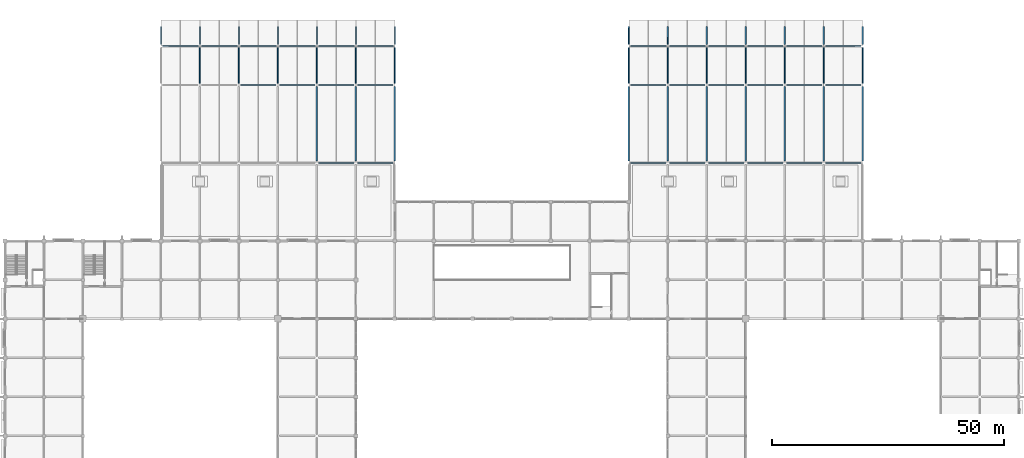
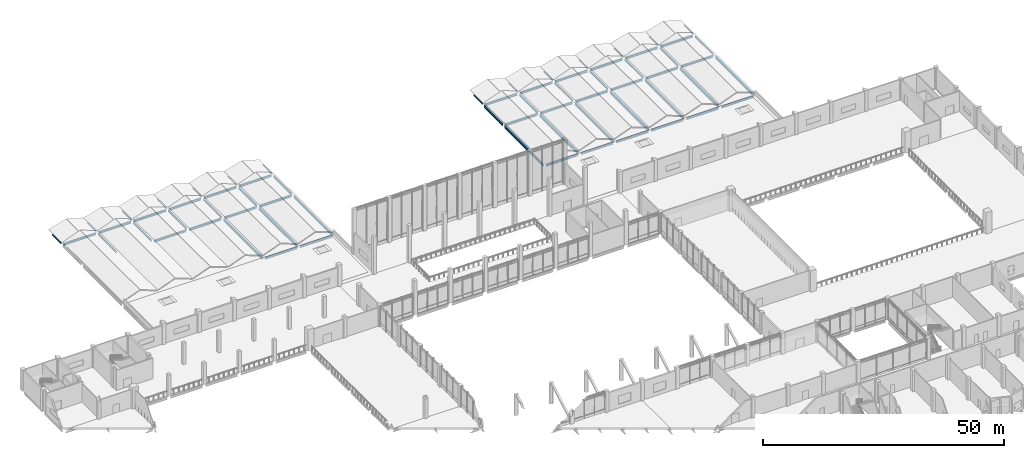
# One storey, part 32 of 72: 67 beams.
"""IFC4 building model written with IfcOpenShell, lengths in metres."""

from ifc_helpers import new_model, si_unit, direction, frame, origin, origin_2d, place, context, subcontext, project, spatial, hollow_rectangle, i_section, extrude, material, material_profile, profile_set, type_object, element, save


model = new_model("IFC4")

# Units and contexts
model_context = context("Model", 3, precision=1e-05, world=origin(), true_north=direction((0.0, 1.0)))
body_context = subcontext(model_context, "Body", "Model", "MODEL_VIEW")
ifc_project = project(units=[si_unit("LENGTHUNIT", "METRE"), si_unit("AREAUNIT", "SQUARE_METRE"), si_unit("VOLUMEUNIT", "CUBIC_METRE"), si_unit("PLANEANGLEUNIT", "RADIAN"), si_unit("MASSUNIT", "GRAM", prefix="KILO")], contexts=[model_context])

# Site, building, storey
site_placement = place(None, origin())
site = spatial("IfcSite", under=ifc_project, at=site_placement, CompositionType="ELEMENT")
building_placement = place(site_placement, origin())
building = spatial("IfcBuilding", under=site, at=building_placement, Name="Qawsi Khor Wholesale Market", CompositionType="ELEMENT")
storey_placement = place(building_placement, frame((0.0, 0.0, 6.0)))
storey = spatial("IfcBuildingStorey", under=building, at=storey_placement, Name="L01", CompositionType="ELEMENT", Elevation=6.0)

# Beams
ifc_material = material(Name="Steel S355", Category="steel")
ifc_material_profile_1 = material_profile(ifc_material, hollow_rectangle(XDim=0.14990234375, YDim=0.25, WallThickness=0.010009765625, InnerFilletRadius=0.010009765625, OuterFilletRadius=0.02001953125, at=origin_2d()), Name="RHS 250x150x10.0")
ifc_profile_set_1 = profile_set([ifc_material_profile_1], Name="Steel S355")
beam_type_1 = type_object("IfcBeamType", Name="Canopy Outrigger RHS 250x150x10.0", PredefinedType="BEAM", material=ifc_profile_set_1)
for number, where, z_axis, x_axis, name in (
    (1, (33.60009765625, 151.52490234375, -0.425048828125), (0.0, 1.0, 0.0), (-1.0, 0.0, 0.0), "BM-CSDOCK-04"),
    (2, (42.0, 151.52490234375, -0.425048828125), (0.0, 1.0, 0.0), (-1.0, 0.0, 0.0), "BM-CSDOCK-05"),
    (3, (50.39990234375, 151.52490234375, -0.425048828125), (0.0, 1.0, 0.0), (-1.0, 0.0, 0.0), "BM-CSDOCK-06"),
    (4, (58.800048828125, 151.52490234375, -0.425048828125), (0.0, 1.0, 0.0), (-1.0, 0.0, 0.0), "BM-CSDOCK-07"),
    (5, (67.199951171875, 151.52490234375, -0.425048828125), (0.0, 1.0, 0.0), (-1.0, 0.0, 0.0), "BM-CSDOCK-08"),
    (6, (75.60009765625, 151.52490234375, -0.425048828125), (0.0, 1.0, 0.0), (-1.0, 0.0, 0.0), "BM-CSDOCK-09"),
    (7, (84.0, 151.52490234375, -0.425048828125), (0.0, 1.0, 0.0), (-1.0, 0.0, 0.0), "BM-CSDOCK-10"),
    (8, (134.39990234375, 151.52490234375, -0.425048828125), (0.0, 1.0, 0.0), (-1.0, 0.0, 0.0), "BM-CSDOCK-16"),
    (9, (142.800048828125, 151.52490234375, -0.425048828125), (0.0, 1.0, 0.0), (-1.0, 0.0, 0.0), "BM-CSDOCK-17"),
    (10, (151.199951171875, 151.52490234375, -0.425048828125), (0.0, 1.0, 0.0), (-1.0, 0.0, 0.0), "BM-CSDOCK-18"),
    (11, (159.60009765625, 151.52490234375, -0.425048828125), (0.0, 1.0, 0.0), (-1.0, 0.0, 0.0), "BM-CSDOCK-19"),
    (12, (168.0, 151.52490234375, -0.425048828125), (0.0, 1.0, 0.0), (-1.0, 0.0, 0.0), "BM-CSDOCK-20"),
    (13, (176.39990234375, 151.52490234375, -0.425048828125), (0.0, 1.0, 0.0), (-1.0, 0.0, 0.0), "BM-CSDOCK-21"),
    (14, (184.800048828125, 151.52490234375, -0.425048828125), (0.0, 1.0, 0.0), (-1.0, 0.0, 0.0), "BM-CSDOCK-22"),
):
    element("IfcBeam", number, at=place(storey_placement, frame(where, z_axis=z_axis, x_axis=x_axis)), inside=storey, type_object=beam_type_1, Name=name, PredefinedType="BEAM", context=body_context, shape_type="SweptSolid", body=[
        extrude(hollow_rectangle(XDim=0.14990234375, YDim=0.25, WallThickness=0.010009765625, InnerFilletRadius=0.010009765625, OuterFilletRadius=0.02001953125, at=origin_2d()), origin(), (0.0, 0.0, 1.0), 3.775146484375),
    ])
ifc_material_profile_2 = material_profile(ifc_material, i_section(OverallWidth=0.300048828125, OverallDepth=0.5400390625, WebThickness=0.012451171875, FlangeThickness=0.02392578125, FilletRadius=0.027099609375, at=origin_2d()), Name="HEA 550")
ifc_profile_set_2 = profile_set([ifc_material_profile_2], Name="Steel S355")
beam_type_2 = type_object("IfcBeamType", Name="Primary Girder HEA 550", PredefinedType="BEAM", material=ifc_profile_set_2)
for number, where, z_axis, x_axis, name in (
    (15, (33.925048828125, 151.199951171875, -0.570068359375), (1.0, 0.0, 0.0), (0.0, 1.0, 0.0), "BM-X-L01-04_+18"),
    (16, (42.324951171875, 151.199951171875, -0.570068359375), (1.0, 0.0, 0.0), (0.0, 1.0, 0.0), "BM-X-L01-05_+18"),
):
    element("IfcBeam", number, at=place(storey_placement, frame(where, z_axis=z_axis, x_axis=x_axis)), inside=storey, type_object=beam_type_2, Name=name, PredefinedType="BEAM", context=body_context, shape_type="SweptSolid", body=[
        extrude(i_section(OverallWidth=0.300048828125, OverallDepth=0.5400390625, WebThickness=0.012451171875, FlangeThickness=0.02392578125, FilletRadius=0.027099609375, at=origin_2d()), origin(), (0.0, 0.0, 1.0), 7.75),
    ])
beam_1_placement = place(storey_placement, frame((50.77490234375, 142.800048828125, -0.570068359375), z_axis=(1.0, 0.0, 0.0), x_axis=(0.0, 1.0, 0.0)))
element("IfcBeam", 17, at=beam_1_placement, inside=storey, type_object=beam_type_2, Name="BM-X-L01-06_+17", PredefinedType="BEAM", context=body_context, shape_type="SweptSolid", body=[
    extrude(i_section(OverallWidth=0.300048828125, OverallDepth=0.5400390625, WebThickness=0.012451171875, FlangeThickness=0.02392578125, FilletRadius=0.027099609375, at=origin_2d()), origin(), (0.0, 0.0, 1.0), 7.650146484375),
])
beam_2_placement = place(storey_placement, frame((50.72509765625, 151.199951171875, -0.570068359375), z_axis=(1.0, 0.0, 0.0), x_axis=(0.0, 1.0, 0.0)))
element("IfcBeam", 18, at=beam_2_placement, inside=storey, type_object=beam_type_2, Name="BM-X-L01-06_+18", PredefinedType="BEAM", context=body_context, shape_type="SweptSolid", body=[
    extrude(i_section(OverallWidth=0.300048828125, OverallDepth=0.5400390625, WebThickness=0.012451171875, FlangeThickness=0.02392578125, FilletRadius=0.027099609375, at=origin_2d()), origin(), (0.0, 0.0, 1.0), 7.75),
])
beam_3_placement = place(storey_placement, frame((59.175048828125, 142.800048828125, -0.570068359375), z_axis=(1.0, 0.0, 0.0), x_axis=(0.0, 1.0, 0.0)))
element("IfcBeam", 19, at=beam_3_placement, inside=storey, type_object=beam_type_2, Name="BM-X-L01-07_+17", PredefinedType="BEAM", context=body_context, shape_type="SweptSolid", body=[
    extrude(i_section(OverallWidth=0.300048828125, OverallDepth=0.5400390625, WebThickness=0.012451171875, FlangeThickness=0.02392578125, FilletRadius=0.027099609375, at=origin_2d()), origin(), (0.0, 0.0, 1.0), 7.64990234375),
])
beam_4_placement = place(storey_placement, frame((59.125, 151.199951171875, -0.570068359375), z_axis=(1.0, 0.0, 0.0), x_axis=(0.0, 1.0, 0.0)))
element("IfcBeam", 20, at=beam_4_placement, inside=storey, type_object=beam_type_2, Name="BM-X-L01-07_+18", PredefinedType="BEAM", context=body_context, shape_type="SweptSolid", body=[
    extrude(i_section(OverallWidth=0.300048828125, OverallDepth=0.5400390625, WebThickness=0.012451171875, FlangeThickness=0.02392578125, FilletRadius=0.027099609375, at=origin_2d()), origin(), (0.0, 0.0, 1.0), 7.75),
])
for number, where, z_axis, x_axis, name in (
    (21, (67.574951171875, 126.0, -0.570068359375), (1.0, 0.0, 0.0), (0.0, 1.0, 0.0), "BM-X-L01-08_+15"),
    (22, (67.574951171875, 142.800048828125, -0.570068359375), (1.0, 0.0, 0.0), (0.0, 1.0, 0.0), "BM-X-L01-08_+17"),
):
    element("IfcBeam", number, at=place(storey_placement, frame(where, z_axis=z_axis, x_axis=x_axis)), inside=storey, type_object=beam_type_2, Name=name, PredefinedType="BEAM", context=body_context, shape_type="SweptSolid", body=[
        extrude(i_section(OverallWidth=0.300048828125, OverallDepth=0.5400390625, WebThickness=0.012451171875, FlangeThickness=0.02392578125, FilletRadius=0.027099609375, at=origin_2d()), origin(), (0.0, 0.0, 1.0), 7.650146484375),
    ])
beam_5_placement = place(storey_placement, frame((67.52490234375, 151.199951171875, -0.570068359375), z_axis=(1.0, 0.0, 0.0), x_axis=(0.0, 1.0, 0.0)))
element("IfcBeam", 23, at=beam_5_placement, inside=storey, type_object=beam_type_2, Name="BM-X-L01-08_+18", PredefinedType="BEAM", context=body_context, shape_type="SweptSolid", body=[
    extrude(i_section(OverallWidth=0.300048828125, OverallDepth=0.5400390625, WebThickness=0.012451171875, FlangeThickness=0.02392578125, FilletRadius=0.027099609375, at=origin_2d()), origin(), (0.0, 0.0, 1.0), 7.75),
])
for number, where, z_axis, x_axis, name in (
    (24, (75.97509765625, 126.0, -0.570068359375), (1.0, 0.0, 0.0), (0.0, 1.0, 0.0), "BM-X-L01-09_+15"),
    (25, (75.97509765625, 142.800048828125, -0.570068359375), (1.0, 0.0, 0.0), (0.0, 1.0, 0.0), "BM-X-L01-09_+17"),
):
    element("IfcBeam", number, at=place(storey_placement, frame(where, z_axis=z_axis, x_axis=x_axis)), inside=storey, type_object=beam_type_2, Name=name, PredefinedType="BEAM", context=body_context, shape_type="SweptSolid", body=[
        extrude(i_section(OverallWidth=0.300048828125, OverallDepth=0.5400390625, WebThickness=0.012451171875, FlangeThickness=0.02392578125, FilletRadius=0.027099609375, at=origin_2d()), origin(), (0.0, 0.0, 1.0), 7.64990234375),
    ])
beam_6_placement = place(storey_placement, frame((75.925048828125, 151.199951171875, -0.570068359375), z_axis=(1.0, 0.0, 0.0), x_axis=(0.0, 1.0, 0.0)))
element("IfcBeam", 26, at=beam_6_placement, inside=storey, type_object=beam_type_2, Name="BM-X-L01-09_+18", PredefinedType="BEAM", context=body_context, shape_type="SweptSolid", body=[
    extrude(i_section(OverallWidth=0.300048828125, OverallDepth=0.5400390625, WebThickness=0.012451171875, FlangeThickness=0.02392578125, FilletRadius=0.027099609375, at=origin_2d()), origin(), (0.0, 0.0, 1.0), 7.75),
])
for number, where, z_axis, x_axis, name in (
    (27, (134.77490234375, 126.0, -0.570068359375), (1.0, 0.0, 0.0), (0.0, 1.0, 0.0), "BM-X-L01-16_+15"),
    (28, (134.77490234375, 142.800048828125, -0.570068359375), (1.0, 0.0, 0.0), (0.0, 1.0, 0.0), "BM-X-L01-16_+17"),
):
    element("IfcBeam", number, at=place(storey_placement, frame(where, z_axis=z_axis, x_axis=x_axis)), inside=storey, type_object=beam_type_2, Name=name, PredefinedType="BEAM", context=body_context, shape_type="SweptSolid", body=[
        extrude(i_section(OverallWidth=0.300048828125, OverallDepth=0.5400390625, WebThickness=0.012451171875, FlangeThickness=0.02392578125, FilletRadius=0.027099609375, at=origin_2d()), origin(), (0.0, 0.0, 1.0), 7.650146484375),
    ])
beam_7_placement = place(storey_placement, frame((134.72509765625, 151.199951171875, -0.570068359375), z_axis=(1.0, 0.0, 0.0), x_axis=(0.0, 1.0, 0.0)))
element("IfcBeam", 29, at=beam_7_placement, inside=storey, type_object=beam_type_2, Name="BM-X-L01-16_+18", PredefinedType="BEAM", context=body_context, shape_type="SweptSolid", body=[
    extrude(i_section(OverallWidth=0.300048828125, OverallDepth=0.5400390625, WebThickness=0.012451171875, FlangeThickness=0.02392578125, FilletRadius=0.027099609375, at=origin_2d()), origin(), (0.0, 0.0, 1.0), 7.75),
])
for number, where, z_axis, x_axis, name in (
    (30, (143.175048828125, 126.0, -0.570068359375), (1.0, 0.0, 0.0), (0.0, 1.0, 0.0), "BM-X-L01-17_+15"),
    (31, (143.175048828125, 142.800048828125, -0.570068359375), (1.0, 0.0, 0.0), (0.0, 1.0, 0.0), "BM-X-L01-17_+17"),
):
    element("IfcBeam", number, at=place(storey_placement, frame(where, z_axis=z_axis, x_axis=x_axis)), inside=storey, type_object=beam_type_2, Name=name, PredefinedType="BEAM", context=body_context, shape_type="SweptSolid", body=[
        extrude(i_section(OverallWidth=0.300048828125, OverallDepth=0.5400390625, WebThickness=0.012451171875, FlangeThickness=0.02392578125, FilletRadius=0.027099609375, at=origin_2d()), origin(), (0.0, 0.0, 1.0), 7.64990234375),
    ])
beam_8_placement = place(storey_placement, frame((143.125, 151.199951171875, -0.570068359375), z_axis=(1.0, 0.0, 0.0), x_axis=(0.0, 1.0, 0.0)))
element("IfcBeam", 32, at=beam_8_placement, inside=storey, type_object=beam_type_2, Name="BM-X-L01-17_+18", PredefinedType="BEAM", context=body_context, shape_type="SweptSolid", body=[
    extrude(i_section(OverallWidth=0.300048828125, OverallDepth=0.5400390625, WebThickness=0.012451171875, FlangeThickness=0.02392578125, FilletRadius=0.027099609375, at=origin_2d()), origin(), (0.0, 0.0, 1.0), 7.75),
])
for number, where, z_axis, x_axis, name in (
    (33, (151.574951171875, 126.0, -0.570068359375), (1.0, 0.0, 0.0), (0.0, 1.0, 0.0), "BM-X-L01-18_+15"),
    (34, (151.574951171875, 142.800048828125, -0.570068359375), (1.0, 0.0, 0.0), (0.0, 1.0, 0.0), "BM-X-L01-18_+17"),
):
    element("IfcBeam", number, at=place(storey_placement, frame(where, z_axis=z_axis, x_axis=x_axis)), inside=storey, type_object=beam_type_2, Name=name, PredefinedType="BEAM", context=body_context, shape_type="SweptSolid", body=[
        extrude(i_section(OverallWidth=0.300048828125, OverallDepth=0.5400390625, WebThickness=0.012451171875, FlangeThickness=0.02392578125, FilletRadius=0.027099609375, at=origin_2d()), origin(), (0.0, 0.0, 1.0), 7.650146484375),
    ])
beam_9_placement = place(storey_placement, frame((151.52490234375, 151.199951171875, -0.570068359375), z_axis=(1.0, 0.0, 0.0), x_axis=(0.0, 1.0, 0.0)))
element("IfcBeam", 35, at=beam_9_placement, inside=storey, type_object=beam_type_2, Name="BM-X-L01-18_+18", PredefinedType="BEAM", context=body_context, shape_type="SweptSolid", body=[
    extrude(i_section(OverallWidth=0.300048828125, OverallDepth=0.5400390625, WebThickness=0.012451171875, FlangeThickness=0.02392578125, FilletRadius=0.027099609375, at=origin_2d()), origin(), (0.0, 0.0, 1.0), 7.75),
])
for number, where, z_axis, x_axis, name in (
    (36, (159.97509765625, 126.0, -0.570068359375), (1.0, 0.0, 0.0), (0.0, 1.0, 0.0), "BM-X-L01-19_+15"),
    (37, (159.97509765625, 142.800048828125, -0.570068359375), (1.0, 0.0, 0.0), (0.0, 1.0, 0.0), "BM-X-L01-19_+17"),
):
    element("IfcBeam", number, at=place(storey_placement, frame(where, z_axis=z_axis, x_axis=x_axis)), inside=storey, type_object=beam_type_2, Name=name, PredefinedType="BEAM", context=body_context, shape_type="SweptSolid", body=[
        extrude(i_section(OverallWidth=0.300048828125, OverallDepth=0.5400390625, WebThickness=0.012451171875, FlangeThickness=0.02392578125, FilletRadius=0.027099609375, at=origin_2d()), origin(), (0.0, 0.0, 1.0), 7.64990234375),
    ])
beam_10_placement = place(storey_placement, frame((159.925048828125, 151.199951171875, -0.570068359375), z_axis=(1.0, 0.0, 0.0), x_axis=(0.0, 1.0, 0.0)))
element("IfcBeam", 38, at=beam_10_placement, inside=storey, type_object=beam_type_2, Name="BM-X-L01-19_+18", PredefinedType="BEAM", context=body_context, shape_type="SweptSolid", body=[
    extrude(i_section(OverallWidth=0.300048828125, OverallDepth=0.5400390625, WebThickness=0.012451171875, FlangeThickness=0.02392578125, FilletRadius=0.027099609375, at=origin_2d()), origin(), (0.0, 0.0, 1.0), 7.75),
])
for number, where, z_axis, x_axis, name in (
    (39, (168.375, 126.0, -0.570068359375), (1.0, 0.0, 0.0), (0.0, 1.0, 0.0), "BM-X-L01-20_+15"),
    (40, (168.375, 142.800048828125, -0.570068359375), (1.0, 0.0, 0.0), (0.0, 1.0, 0.0), "BM-X-L01-20_+17"),
):
    element("IfcBeam", number, at=place(storey_placement, frame(where, z_axis=z_axis, x_axis=x_axis)), inside=storey, type_object=beam_type_2, Name=name, PredefinedType="BEAM", context=body_context, shape_type="SweptSolid", body=[
        extrude(i_section(OverallWidth=0.300048828125, OverallDepth=0.5400390625, WebThickness=0.012451171875, FlangeThickness=0.02392578125, FilletRadius=0.027099609375, at=origin_2d()), origin(), (0.0, 0.0, 1.0), 7.64990234375),
    ])
beam_11_placement = place(storey_placement, frame((168.324951171875, 151.199951171875, -0.570068359375), z_axis=(1.0, 0.0, 0.0), x_axis=(0.0, 1.0, 0.0)))
element("IfcBeam", 41, at=beam_11_placement, inside=storey, type_object=beam_type_2, Name="BM-X-L01-20_+18", PredefinedType="BEAM", context=body_context, shape_type="SweptSolid", body=[
    extrude(i_section(OverallWidth=0.300048828125, OverallDepth=0.5400390625, WebThickness=0.012451171875, FlangeThickness=0.02392578125, FilletRadius=0.027099609375, at=origin_2d()), origin(), (0.0, 0.0, 1.0), 7.75),
])
for number, where, z_axis, x_axis, name in (
    (42, (176.77490234375, 126.0, -0.570068359375), (1.0, 0.0, 0.0), (0.0, 1.0, 0.0), "BM-X-L01-21_+15"),
    (43, (176.77490234375, 142.800048828125, -0.570068359375), (1.0, 0.0, 0.0), (0.0, 1.0, 0.0), "BM-X-L01-21_+17"),
):
    element("IfcBeam", number, at=place(storey_placement, frame(where, z_axis=z_axis, x_axis=x_axis)), inside=storey, type_object=beam_type_2, Name=name, PredefinedType="BEAM", context=body_context, shape_type="SweptSolid", body=[
        extrude(i_section(OverallWidth=0.300048828125, OverallDepth=0.5400390625, WebThickness=0.012451171875, FlangeThickness=0.02392578125, FilletRadius=0.027099609375, at=origin_2d()), origin(), (0.0, 0.0, 1.0), 7.650146484375),
    ])
beam_12_placement = place(storey_placement, frame((176.72509765625, 151.199951171875, -0.570068359375), z_axis=(1.0, 0.0, 0.0), x_axis=(0.0, 1.0, 0.0)))
element("IfcBeam", 44, at=beam_12_placement, inside=storey, type_object=beam_type_2, Name="BM-X-L01-21_+18", PredefinedType="BEAM", context=body_context, shape_type="SweptSolid", body=[
    extrude(i_section(OverallWidth=0.300048828125, OverallDepth=0.5400390625, WebThickness=0.012451171875, FlangeThickness=0.02392578125, FilletRadius=0.027099609375, at=origin_2d()), origin(), (0.0, 0.0, 1.0), 7.75),
])
ifc_material_profile_3 = material_profile(ifc_material, i_section(OverallWidth=0.300048828125, OverallDepth=0.639892578125, WebThickness=0.013427734375, FlangeThickness=0.02587890625, FilletRadius=0.027099609375, at=origin_2d()), Name="HEA 650")
ifc_profile_set_3 = profile_set([ifc_material_profile_3], Name="Steel S355")
beam_type_3 = type_object("IfcBeamType", Name="Primary Girder HEA 650", PredefinedType="BEAM", material=ifc_profile_set_3)
for number, where, z_axis, x_axis, name in (
    (45, (67.199951171875, 126.375, -0.6201171875), (0.0, 1.0, 0.0), (-1.0, 0.0, 0.0), "BM-YL-L01-08_+15"),
    (46, (75.60009765625, 126.375, -0.6201171875), (0.0, 1.0, 0.0), (-1.0, 0.0, 0.0), "BM-YL-L01-09_+15"),
    (47, (84.0, 126.375, -0.6201171875), (0.0, 1.0, 0.0), (-1.0, 0.0, 0.0), "BM-YL-L01-10_+15"),
    (48, (134.39990234375, 126.375, -0.6201171875), (0.0, 1.0, 0.0), (-1.0, 0.0, 0.0), "BM-YL-L01-16_+15"),
    (49, (142.800048828125, 126.375, -0.6201171875), (0.0, 1.0, 0.0), (-1.0, 0.0, 0.0), "BM-YL-L01-17_+15"),
    (50, (151.199951171875, 126.375, -0.6201171875), (0.0, 1.0, 0.0), (-1.0, 0.0, 0.0), "BM-YL-L01-18_+15"),
    (51, (159.60009765625, 126.375, -0.6201171875), (0.0, 1.0, 0.0), (-1.0, 0.0, 0.0), "BM-YL-L01-19_+15"),
    (52, (168.0, 126.375, -0.6201171875), (0.0, 1.0, 0.0), (-1.0, 0.0, 0.0), "BM-YL-L01-20_+15"),
    (53, (176.39990234375, 126.375, -0.6201171875), (0.0, 1.0, 0.0), (-1.0, 0.0, 0.0), "BM-YL-L01-21_+15"),
    (54, (184.800048828125, 126.375, -0.6201171875), (0.0, 1.0, 0.0), (-1.0, 0.0, 0.0), "BM-YL-L01-22_+15"),
):
    element("IfcBeam", number, at=place(storey_placement, frame(where, z_axis=z_axis, x_axis=x_axis)), inside=storey, type_object=beam_type_3, Name=name, PredefinedType="BEAM", context=body_context, shape_type="SweptSolid", body=[
        extrude(i_section(OverallWidth=0.300048828125, OverallDepth=0.639892578125, WebThickness=0.013427734375, FlangeThickness=0.02587890625, FilletRadius=0.027099609375, at=origin_2d()), origin(), (0.0, 0.0, 1.0), 16.050048828125),
    ])
ifc_material_profile_4 = material_profile(ifc_material, i_section(OverallWidth=0.18994140625, OverallDepth=0.449951171875, WebThickness=0.009521484375, FlangeThickness=0.0146484375, FilletRadius=0.02099609375, at=origin_2d()), Name="IPE 450")
ifc_profile_set_4 = profile_set([ifc_material_profile_4], Name="Steel S355")
beam_type_4 = type_object("IfcBeamType", Name="Secondary Beam IPE 450", PredefinedType="BEAM", material=ifc_profile_set_4)
for number, where, z_axis, x_axis, name in (
    (55, (151.199951171875, 143.175048828125, -0.52490234375), (0.0, 1.0, 0.0), (-1.0, 0.0, 0.0), "BM-Y-L01-18_+17"),
    (56, (159.60009765625, 143.175048828125, -0.52490234375), (0.0, 1.0, 0.0), (-1.0, 0.0, 0.0), "BM-Y-L01-19_+17"),
    (57, (168.0, 143.175048828125, -0.52490234375), (0.0, 1.0, 0.0), (-1.0, 0.0, 0.0), "BM-Y-L01-20_+17"),
    (58, (176.39990234375, 143.175048828125, -0.52490234375), (0.0, 1.0, 0.0), (-1.0, 0.0, 0.0), "BM-Y-L01-21_+17"),
    (59, (184.800048828125, 143.175048828125, -0.52490234375), (0.0, 1.0, 0.0), (-1.0, 0.0, 0.0), "BM-Y-L01-22_+17"),
):
    element("IfcBeam", number, at=place(storey_placement, frame(where, z_axis=z_axis, x_axis=x_axis)), inside=storey, type_object=beam_type_4, Name=name, PredefinedType="BEAM", context=body_context, shape_type="SweptSolid", body=[
        extrude(i_section(OverallWidth=0.18994140625, OverallDepth=0.449951171875, WebThickness=0.009521484375, FlangeThickness=0.0146484375, FilletRadius=0.02099609375, at=origin_2d()), origin(), (0.0, 0.0, 1.0), 7.699951171875),
    ])
ifc_material_profile_5 = material_profile(ifc_material, i_section(OverallWidth=0.199951171875, OverallDepth=0.5, WebThickness=0.01025390625, FlangeThickness=0.01611328125, FilletRadius=0.02099609375, at=origin_2d()), Name="IPE 500")
ifc_profile_set_5 = profile_set([ifc_material_profile_5], Name="Steel S355")
beam_type_5 = type_object("IfcBeamType", Name="Secondary Beam IPE 500", PredefinedType="BEAM", material=ifc_profile_set_5)
for number, where, z_axis, x_axis, name in (
    (60, (42.0, 143.175048828125, -0.550048828125), (0.0, 1.0, 0.0), (-1.0, 0.0, 0.0), "BM-Y-L01-05_+17"),
    (61, (50.39990234375, 143.175048828125, -0.550048828125), (0.0, 1.0, 0.0), (-1.0, 0.0, 0.0), "BM-Y-L01-06_+17"),
    (62, (58.800048828125, 143.175048828125, -0.550048828125), (0.0, 1.0, 0.0), (-1.0, 0.0, 0.0), "BM-Y-L01-07_+17"),
    (63, (67.199951171875, 143.175048828125, -0.550048828125), (0.0, 1.0, 0.0), (-1.0, 0.0, 0.0), "BM-Y-L01-08_+17"),
):
    element("IfcBeam", number, at=place(storey_placement, frame(where, z_axis=z_axis, x_axis=x_axis)), inside=storey, type_object=beam_type_5, Name=name, PredefinedType="BEAM", context=body_context, shape_type="SweptSolid", body=[
        extrude(i_section(OverallWidth=0.199951171875, OverallDepth=0.5, WebThickness=0.01025390625, FlangeThickness=0.01611328125, FilletRadius=0.02099609375, at=origin_2d()), origin(), (0.0, 0.0, 1.0), 7.699951171875),
    ])
ifc_material_profile_6 = material_profile(ifc_material, i_section(OverallWidth=0.219970703125, OverallDepth=0.60009765625, WebThickness=0.011962890625, FlangeThickness=0.01904296875, FilletRadius=0.02392578125, at=origin_2d()), Name="IPE 600")
ifc_profile_set_6 = profile_set([ifc_material_profile_6], Name="Steel S355")
beam_type_6 = type_object("IfcBeamType", Name="Secondary Beam IPE 600", PredefinedType="BEAM", material=ifc_profile_set_6)
for number, where, z_axis, x_axis, name in (
    (64, (75.60009765625, 143.175048828125, -0.60009765625), (0.0, 1.0, 0.0), (-1.0, 0.0, 0.0), "BM-Y-L01-09_+17"),
    (65, (84.0, 143.175048828125, -0.60009765625), (0.0, 1.0, 0.0), (-1.0, 0.0, 0.0), "BM-Y-L01-10_+17"),
    (66, (134.39990234375, 143.175048828125, -0.60009765625), (0.0, 1.0, 0.0), (-1.0, 0.0, 0.0), "BM-Y-L01-16_+17"),
    (67, (142.800048828125, 143.175048828125, -0.60009765625), (0.0, 1.0, 0.0), (-1.0, 0.0, 0.0), "BM-Y-L01-17_+17"),
):
    element("IfcBeam", number, at=place(storey_placement, frame(where, z_axis=z_axis, x_axis=x_axis)), inside=storey, type_object=beam_type_6, Name=name, PredefinedType="BEAM", context=body_context, shape_type="SweptSolid", body=[
        extrude(i_section(OverallWidth=0.219970703125, OverallDepth=0.60009765625, WebThickness=0.011962890625, FlangeThickness=0.01904296875, FilletRadius=0.02392578125, at=origin_2d()), origin(), (0.0, 0.0, 1.0), 7.699951171875),
    ])

save(model, "model.ifc")
